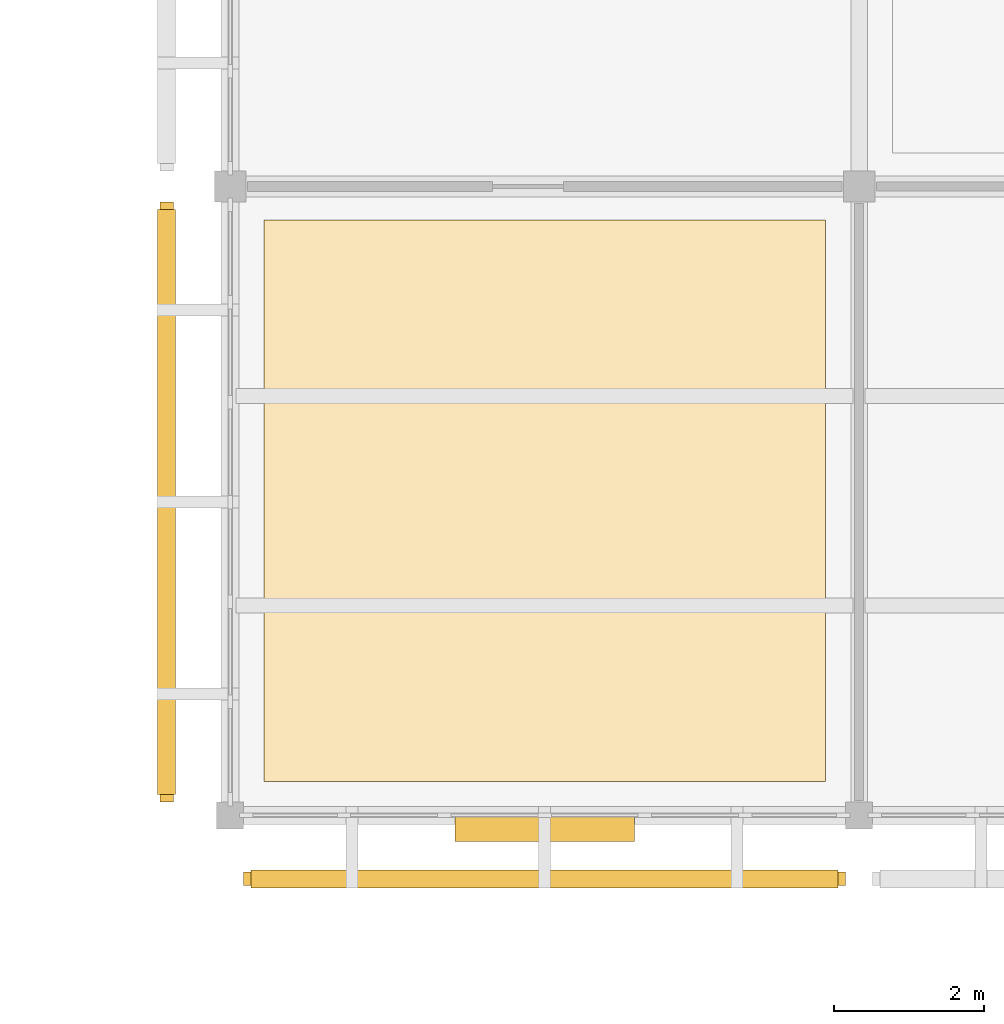
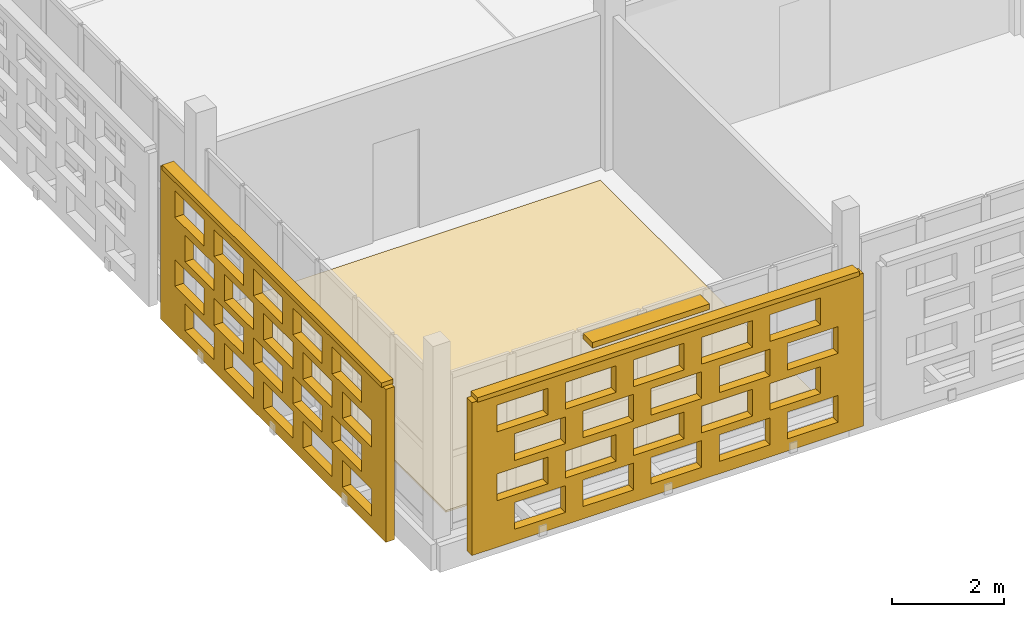
# One storey, part 112 of 166: 3 coverings, 3 shading devices, 40 openings.
"""IFC4 building model written with IfcOpenShell, lengths in metres."""

from ifc_helpers import new_model, si_unit, direction, frame, frame_2d, origin, origin_2d, place, context, subcontext, project, spatial, rectangle, extrude, material, layer, layer_set, type_object, element, save


model = new_model("IFC4")

# Units and contexts
model_context = context("Model", 3, precision=1e-05, world=origin(), true_north=direction((0.0, 1.0)))
body_context = subcontext(model_context, "Body", "Model", "MODEL_VIEW")
ifc_project = project(units=[si_unit("LENGTHUNIT", "METRE"), si_unit("AREAUNIT", "SQUARE_METRE"), si_unit("VOLUMEUNIT", "CUBIC_METRE"), si_unit("PLANEANGLEUNIT", "RADIAN"), si_unit("MASSUNIT", "GRAM", prefix="KILO")], contexts=[model_context])

# Site, building, storey
site_placement = place(None, origin())
site = spatial("IfcSite", under=ifc_project, at=site_placement, CompositionType="ELEMENT")
building_placement = place(site_placement, origin())
building = spatial("IfcBuilding", under=site, at=building_placement, Name="Varnapada Polytechnic", CompositionType="ELEMENT")
storey_placement = place(building_placement, frame((0.0, 0.0, 9.60009765625)))
storey = spatial("IfcBuildingStorey", under=building, at=storey_placement, Name="L02", CompositionType="ELEMENT", Elevation=9.60009765625)

# Covering
ifc_material_1 = material(Name="Acoustic Rubber Seminar Flooring")
ifc_layer_1 = layer(ifc_material_1, 0.0400390625)
ifc_layer_set_1 = layer_set([ifc_layer_1], Name="Acoustic Rubber Seminar Flooring")
covering_type_1 = type_object("IfcCoveringType", Name="Floor Finish FLR-06", PredefinedType="FLOORING", material=ifc_layer_set_1)
covering_1_placement = place(storey_placement, frame((12.60009765625, 4.199951171875, 0.0), z_axis=(0.0, 0.0, 1.0), x_axis=(1.0, 0.0, 0.0)))
element("IfcCovering", 1, at=covering_1_placement, inside=storey, type_object=covering_type_1, Name="L02 floor finish panel (2,1)", PredefinedType="FLOORING", context=body_context, shape_type="SweptSolid", body=[
    extrude(rectangle(XDim=7.5, YDim=7.5, at=origin_2d()), origin(), (0.0, 0.0, 1.0), 0.0400390625),
])

# Shading device
ifc_material_2 = material(Name="Anodised aluminium", Category="aluminium")
ifc_layer_2 = layer(ifc_material_2, 0.35009765625)
ifc_layer_set_2 = layer_set([ifc_layer_2], Name="Anodised aluminium")
shading_device_type_1 = type_object("IfcShadingDeviceType", Name="Solar Louvre LVR-01", PredefinedType="JALOUSIE", material=ifc_layer_set_2)
shading_device_1_placement = place(storey_placement, frame((12.60009765625, -0.179931640625, 3.159912109375), z_axis=(0.0, 0.0, 1.0), x_axis=(-1.0, 0.0, 0.0)))
element("IfcShadingDevice", 2, at=shading_device_1_placement, inside=storey, type_object=shading_device_type_1, Name="L02 aluminium sun louvre 13", PredefinedType="JALOUSIE", context=body_context, shape_type="SweptSolid", body=[
    extrude(rectangle(XDim=2.39990234375, YDim=0.340087890625, at=origin_2d()), origin(), (0.0, 0.0, 1.0), 0.1201171875),
])

# Covering, openings
ifc_material_3 = material(Name="Earth-toned architectural terracotta screen block", Category="masonry")
ifc_layer_3 = layer(ifc_material_3, 0.1201171875)
ifc_layer_set_3 = layer_set([ifc_layer_3], Name="Earth-toned architectural terracotta screen block")
covering_type_2 = type_object("IfcCoveringType", Name="Terracotta Screen Cladding CLD-01", PredefinedType="CLADDING", material=ifc_layer_set_3)
covering_2_placement = place(storey_placement, frame((16.6201171875, -0.85009765625, 0.0), z_axis=(0.0, 0.0, 1.0), x_axis=(-1.0, 0.0, 0.0)))
covering_2 = element("IfcCovering", 3, at=covering_2_placement, inside=storey, type_object=covering_type_2, Name="L02 perforated terracotta block screen (13)", PredefinedType="CLADDING", context=body_context, shape_type="SweptSolid", body=[
    extrude(rectangle(XDim=8.0400390625, YDim=0.179931640625, at=frame_2d((4.02001953125, 0.0))), origin(), (0.0, 0.0, 1.0), 3.31982421875),
])
opening_1_placement = place(covering_2_placement, frame((0.52001953125, 0.0, 0.265625)))
element("IfcOpeningElement", 4, at=opening_1_placement, cuts=covering_2, Name="Screen perforation TBS-L02-012.1", PredefinedType="OPENING", context=body_context, shape_type="SweptSolid", body=[
    extrude(rectangle(XDim=1.0400390625, YDim=0.5810546875, at=frame_2d((0.52001953125, 0.29052734375))), frame((0.0, 0.099853515625, 0.0), z_axis=(0.0, -1.0, 0.0), x_axis=(1.0, 0.0, 0.0)), (0.0, 0.0, 1.0), 0.199951171875),
])
opening_2_placement = place(covering_2_placement, frame((1.919921875, 0.0, 0.265625)))
element("IfcOpeningElement", 5, at=opening_2_placement, cuts=covering_2, Name="Screen perforation TBS-L02-012.2", PredefinedType="OPENING", context=body_context, shape_type="SweptSolid", body=[
    extrude(rectangle(XDim=1.0400390625, YDim=0.5810546875, at=frame_2d((0.52001953125, 0.29052734375))), frame((0.0, 0.099853515625, 0.0), z_axis=(0.0, -1.0, 0.0), x_axis=(1.0, 0.0, 0.0)), (0.0, 0.0, 1.0), 0.199951171875),
])
opening_3_placement = place(covering_2_placement, frame((3.320068359375, 0.0, 0.265625)))
element("IfcOpeningElement", 6, at=opening_3_placement, cuts=covering_2, Name="Screen perforation TBS-L02-012.3", PredefinedType="OPENING", context=body_context, shape_type="SweptSolid", body=[
    extrude(rectangle(XDim=1.0400390625, YDim=0.5810546875, at=frame_2d((0.52001953125, 0.29052734375))), frame((0.0, 0.099853515625, 0.0), z_axis=(0.0, -1.0, 0.0), x_axis=(1.0, 0.0, 0.0)), (0.0, 0.0, 1.0), 0.199951171875),
])
opening_4_placement = place(covering_2_placement, frame((4.719970703125, 0.0, 0.265625)))
element("IfcOpeningElement", 7, at=opening_4_placement, cuts=covering_2, Name="Screen perforation TBS-L02-012.4", PredefinedType="OPENING", context=body_context, shape_type="SweptSolid", body=[
    extrude(rectangle(XDim=1.0400390625, YDim=0.5810546875, at=frame_2d((0.52001953125, 0.29052734375))), frame((0.0, 0.099853515625, 0.0), z_axis=(0.0, -1.0, 0.0), x_axis=(1.0, 0.0, 0.0)), (0.0, 0.0, 1.0), 0.199951171875),
])
opening_5_placement = place(covering_2_placement, frame((6.1201171875, 0.0, 0.265625)))
element("IfcOpeningElement", 8, at=opening_5_placement, cuts=covering_2, Name="Screen perforation TBS-L02-012.5", PredefinedType="OPENING", context=body_context, shape_type="SweptSolid", body=[
    extrude(rectangle(XDim=1.0400390625, YDim=0.5810546875, at=frame_2d((0.52001953125, 0.29052734375))), frame((0.0, 0.099853515625, 0.0), z_axis=(0.0, -1.0, 0.0), x_axis=(1.0, 0.0, 0.0)), (0.0, 0.0, 1.0), 0.199951171875),
])
opening_6_placement = place(covering_2_placement, frame((0.8798828125, 0.0, 1.0126953125)))
element("IfcOpeningElement", 9, at=opening_6_placement, cuts=covering_2, Name="Screen perforation TBS-L02-012.6", PredefinedType="OPENING", context=body_context, shape_type="SweptSolid", body=[
    extrude(rectangle(XDim=1.0400390625, YDim=0.5810546875, at=frame_2d((0.52001953125, 0.29052734375))), frame((0.0, 0.099853515625, 0.0), z_axis=(0.0, -1.0, 0.0), x_axis=(1.0, 0.0, 0.0)), (0.0, 0.0, 1.0), 0.199951171875),
])
opening_7_placement = place(covering_2_placement, frame((2.280029296875, 0.0, 1.0126953125)))
element("IfcOpeningElement", 10, at=opening_7_placement, cuts=covering_2, Name="Screen perforation TBS-L02-012.7", PredefinedType="OPENING", context=body_context, shape_type="SweptSolid", body=[
    extrude(rectangle(XDim=1.0400390625, YDim=0.5810546875, at=frame_2d((0.52001953125, 0.29052734375))), frame((0.0, 0.099853515625, 0.0), z_axis=(0.0, -1.0, 0.0), x_axis=(1.0, 0.0, 0.0)), (0.0, 0.0, 1.0), 0.199951171875),
])
opening_8_placement = place(covering_2_placement, frame((3.679931640625, 0.0, 1.0126953125)))
element("IfcOpeningElement", 11, at=opening_8_placement, cuts=covering_2, Name="Screen perforation TBS-L02-012.8", PredefinedType="OPENING", context=body_context, shape_type="SweptSolid", body=[
    extrude(rectangle(XDim=1.0400390625, YDim=0.5810546875, at=frame_2d((0.52001953125, 0.29052734375))), frame((0.0, 0.099853515625, 0.0), z_axis=(0.0, -1.0, 0.0), x_axis=(1.0, 0.0, 0.0)), (0.0, 0.0, 1.0), 0.199951171875),
])
opening_9_placement = place(covering_2_placement, frame((5.080078125, 0.0, 1.0126953125)))
element("IfcOpeningElement", 12, at=opening_9_placement, cuts=covering_2, Name="Screen perforation TBS-L02-012.9", PredefinedType="OPENING", context=body_context, shape_type="SweptSolid", body=[
    extrude(rectangle(XDim=1.0400390625, YDim=0.5810546875, at=frame_2d((0.52001953125, 0.29052734375))), frame((0.0, 0.099853515625, 0.0), z_axis=(0.0, -1.0, 0.0), x_axis=(1.0, 0.0, 0.0)), (0.0, 0.0, 1.0), 0.199951171875),
])
opening_10_placement = place(covering_2_placement, frame((6.47998046875, 0.0, 1.0126953125)))
element("IfcOpeningElement", 13, at=opening_10_placement, cuts=covering_2, Name="Screen perforation TBS-L02-012.10", PredefinedType="OPENING", context=body_context, shape_type="SweptSolid", body=[
    extrude(rectangle(XDim=1.0400390625, YDim=0.5810546875, at=frame_2d((0.52001953125, 0.29052734375))), frame((0.0, 0.099853515625, 0.0), z_axis=(0.0, -1.0, 0.0), x_axis=(1.0, 0.0, 0.0)), (0.0, 0.0, 1.0), 0.199951171875),
])
opening_11_placement = place(covering_2_placement, frame((0.52001953125, 0.0, 1.759521484375)))
element("IfcOpeningElement", 14, at=opening_11_placement, cuts=covering_2, Name="Screen perforation TBS-L02-012.11", PredefinedType="OPENING", context=body_context, shape_type="SweptSolid", body=[
    extrude(rectangle(XDim=1.0400390625, YDim=0.5810546875, at=frame_2d((0.52001953125, 0.29052734375))), frame((0.0, 0.099853515625, 0.0), z_axis=(0.0, -1.0, 0.0), x_axis=(1.0, 0.0, 0.0)), (0.0, 0.0, 1.0), 0.199951171875),
])
opening_12_placement = place(covering_2_placement, frame((1.919921875, 0.0, 1.759521484375)))
element("IfcOpeningElement", 15, at=opening_12_placement, cuts=covering_2, Name="Screen perforation TBS-L02-012.12", PredefinedType="OPENING", context=body_context, shape_type="SweptSolid", body=[
    extrude(rectangle(XDim=1.0400390625, YDim=0.5810546875, at=frame_2d((0.52001953125, 0.29052734375))), frame((0.0, 0.099853515625, 0.0), z_axis=(0.0, -1.0, 0.0), x_axis=(1.0, 0.0, 0.0)), (0.0, 0.0, 1.0), 0.199951171875),
])
opening_13_placement = place(covering_2_placement, frame((3.320068359375, 0.0, 1.759521484375)))
element("IfcOpeningElement", 16, at=opening_13_placement, cuts=covering_2, Name="Screen perforation TBS-L02-012.13", PredefinedType="OPENING", context=body_context, shape_type="SweptSolid", body=[
    extrude(rectangle(XDim=1.0400390625, YDim=0.5810546875, at=frame_2d((0.52001953125, 0.29052734375))), frame((0.0, 0.099853515625, 0.0), z_axis=(0.0, -1.0, 0.0), x_axis=(1.0, 0.0, 0.0)), (0.0, 0.0, 1.0), 0.199951171875),
])
opening_14_placement = place(covering_2_placement, frame((4.719970703125, 0.0, 1.759521484375)))
element("IfcOpeningElement", 17, at=opening_14_placement, cuts=covering_2, Name="Screen perforation TBS-L02-012.14", PredefinedType="OPENING", context=body_context, shape_type="SweptSolid", body=[
    extrude(rectangle(XDim=1.0400390625, YDim=0.5810546875, at=frame_2d((0.52001953125, 0.29052734375))), frame((0.0, 0.099853515625, 0.0), z_axis=(0.0, -1.0, 0.0), x_axis=(1.0, 0.0, 0.0)), (0.0, 0.0, 1.0), 0.199951171875),
])
opening_15_placement = place(covering_2_placement, frame((6.1201171875, 0.0, 1.759521484375)))
element("IfcOpeningElement", 18, at=opening_15_placement, cuts=covering_2, Name="Screen perforation TBS-L02-012.15", PredefinedType="OPENING", context=body_context, shape_type="SweptSolid", body=[
    extrude(rectangle(XDim=1.0400390625, YDim=0.5810546875, at=frame_2d((0.52001953125, 0.29052734375))), frame((0.0, 0.099853515625, 0.0), z_axis=(0.0, -1.0, 0.0), x_axis=(1.0, 0.0, 0.0)), (0.0, 0.0, 1.0), 0.199951171875),
])
opening_16_placement = place(covering_2_placement, frame((0.8798828125, 0.0, 2.506591796875)))
element("IfcOpeningElement", 19, at=opening_16_placement, cuts=covering_2, Name="Screen perforation TBS-L02-012.16", PredefinedType="OPENING", context=body_context, shape_type="SweptSolid", body=[
    extrude(rectangle(XDim=1.0400390625, YDim=0.5810546875, at=frame_2d((0.52001953125, 0.29052734375))), frame((0.0, 0.099853515625, 0.0), z_axis=(0.0, -1.0, 0.0), x_axis=(1.0, 0.0, 0.0)), (0.0, 0.0, 1.0), 0.199951171875),
])
opening_17_placement = place(covering_2_placement, frame((2.280029296875, 0.0, 2.506591796875)))
element("IfcOpeningElement", 20, at=opening_17_placement, cuts=covering_2, Name="Screen perforation TBS-L02-012.17", PredefinedType="OPENING", context=body_context, shape_type="SweptSolid", body=[
    extrude(rectangle(XDim=1.0400390625, YDim=0.5810546875, at=frame_2d((0.52001953125, 0.29052734375))), frame((0.0, 0.099853515625, 0.0), z_axis=(0.0, -1.0, 0.0), x_axis=(1.0, 0.0, 0.0)), (0.0, 0.0, 1.0), 0.199951171875),
])
opening_18_placement = place(covering_2_placement, frame((3.679931640625, 0.0, 2.506591796875)))
element("IfcOpeningElement", 21, at=opening_18_placement, cuts=covering_2, Name="Screen perforation TBS-L02-012.18", PredefinedType="OPENING", context=body_context, shape_type="SweptSolid", body=[
    extrude(rectangle(XDim=1.0400390625, YDim=0.5810546875, at=frame_2d((0.52001953125, 0.29052734375))), frame((0.0, 0.099853515625, 0.0), z_axis=(0.0, -1.0, 0.0), x_axis=(1.0, 0.0, 0.0)), (0.0, 0.0, 1.0), 0.199951171875),
])
opening_19_placement = place(covering_2_placement, frame((5.080078125, 0.0, 2.506591796875)))
element("IfcOpeningElement", 22, at=opening_19_placement, cuts=covering_2, Name="Screen perforation TBS-L02-012.19", PredefinedType="OPENING", context=body_context, shape_type="SweptSolid", body=[
    extrude(rectangle(XDim=1.0400390625, YDim=0.5810546875, at=frame_2d((0.52001953125, 0.29052734375))), frame((0.0, 0.099853515625, 0.0), z_axis=(0.0, -1.0, 0.0), x_axis=(1.0, 0.0, 0.0)), (0.0, 0.0, 1.0), 0.199951171875),
])
opening_20_placement = place(covering_2_placement, frame((6.47998046875, 0.0, 2.506591796875)))
element("IfcOpeningElement", 23, at=opening_20_placement, cuts=covering_2, Name="Screen perforation TBS-L02-012.20", PredefinedType="OPENING", context=body_context, shape_type="SweptSolid", body=[
    extrude(rectangle(XDim=1.0400390625, YDim=0.5810546875, at=frame_2d((0.52001953125, 0.29052734375))), frame((0.0, 0.099853515625, 0.0), z_axis=(0.0, -1.0, 0.0), x_axis=(1.0, 0.0, 0.0)), (0.0, 0.0, 1.0), 0.199951171875),
])

covering_3_placement = place(storey_placement, frame((7.550048828125, 0.179931640625, 0.0), z_axis=(0.0, 0.0, 1.0), x_axis=(0.0, 1.0, 0.0)))
covering_3 = element("IfcCovering", 24, at=covering_3_placement, inside=storey, type_object=covering_type_2, Name="L02 perforated terracotta block screen (14)", PredefinedType="CLADDING", context=body_context, shape_type="SweptSolid", body=[
    extrude(rectangle(XDim=8.010009765625, YDim=0.179931640625, at=frame_2d((4.0048828125, 0.0))), origin(), (0.0, 0.0, 1.0), 3.31982421875),
])
opening_21_placement = place(covering_3_placement, frame((0.5048828125, 0.0, 0.265625)))
element("IfcOpeningElement", 25, at=opening_21_placement, cuts=covering_3, Name="Screen perforation TBS-L02-013.1", PredefinedType="OPENING", context=body_context, shape_type="SweptSolid", body=[
    extrude(rectangle(XDim=1.0400390625, YDim=0.5810546875, at=frame_2d((0.52001953125, 0.29052734375))), frame((0.0, 0.099853515625, 0.0), z_axis=(0.0, -1.0, 0.0), x_axis=(1.0, 0.0, 0.0)), (0.0, 0.0, 1.0), 0.199951171875),
])
opening_22_placement = place(covering_3_placement, frame((1.905029296875, 0.0, 0.265625)))
element("IfcOpeningElement", 26, at=opening_22_placement, cuts=covering_3, Name="Screen perforation TBS-L02-013.2", PredefinedType="OPENING", context=body_context, shape_type="SweptSolid", body=[
    extrude(rectangle(XDim=1.0400390625, YDim=0.5810546875, at=frame_2d((0.52001953125, 0.29052734375))), frame((0.0, 0.099853515625, 0.0), z_axis=(0.0, -1.0, 0.0), x_axis=(1.0, 0.0, 0.0)), (0.0, 0.0, 1.0), 0.199951171875),
])
opening_23_placement = place(covering_3_placement, frame((3.304931640625, 0.0, 0.265625)))
element("IfcOpeningElement", 27, at=opening_23_placement, cuts=covering_3, Name="Screen perforation TBS-L02-013.3", PredefinedType="OPENING", context=body_context, shape_type="SweptSolid", body=[
    extrude(rectangle(XDim=1.0400390625, YDim=0.5810546875, at=frame_2d((0.52001953125, 0.29052734375))), frame((0.0, 0.099853515625, 0.0), z_axis=(0.0, -1.0, 0.0), x_axis=(1.0, 0.0, 0.0)), (0.0, 0.0, 1.0), 0.199951171875),
])
opening_24_placement = place(covering_3_placement, frame((4.705078125, 0.0, 0.265625)))
element("IfcOpeningElement", 28, at=opening_24_placement, cuts=covering_3, Name="Screen perforation TBS-L02-013.4", PredefinedType="OPENING", context=body_context, shape_type="SweptSolid", body=[
    extrude(rectangle(XDim=1.0400390625, YDim=0.5810546875, at=frame_2d((0.52001953125, 0.29052734375))), frame((0.0, 0.099853515625, 0.0), z_axis=(0.0, -1.0, 0.0), x_axis=(1.0, 0.0, 0.0)), (0.0, 0.0, 1.0), 0.199951171875),
])
opening_25_placement = place(covering_3_placement, frame((6.10498046875, 0.0, 0.265625)))
element("IfcOpeningElement", 29, at=opening_25_placement, cuts=covering_3, Name="Screen perforation TBS-L02-013.5", PredefinedType="OPENING", context=body_context, shape_type="SweptSolid", body=[
    extrude(rectangle(XDim=1.0400390625, YDim=0.5810546875, at=frame_2d((0.52001953125, 0.29052734375))), frame((0.0, 0.099853515625, 0.0), z_axis=(0.0, -1.0, 0.0), x_axis=(1.0, 0.0, 0.0)), (0.0, 0.0, 1.0), 0.199951171875),
])
opening_26_placement = place(covering_3_placement, frame((0.864990234375, 0.0, 1.0126953125)))
element("IfcOpeningElement", 30, at=opening_26_placement, cuts=covering_3, Name="Screen perforation TBS-L02-013.6", PredefinedType="OPENING", context=body_context, shape_type="SweptSolid", body=[
    extrude(rectangle(XDim=1.0400390625, YDim=0.5810546875, at=frame_2d((0.52001953125, 0.29052734375))), frame((0.0, 0.099853515625, 0.0), z_axis=(0.0, -1.0, 0.0), x_axis=(1.0, 0.0, 0.0)), (0.0, 0.0, 1.0), 0.199951171875),
])
opening_27_placement = place(covering_3_placement, frame((2.264892578125, 0.0, 1.0126953125)))
element("IfcOpeningElement", 31, at=opening_27_placement, cuts=covering_3, Name="Screen perforation TBS-L02-013.7", PredefinedType="OPENING", context=body_context, shape_type="SweptSolid", body=[
    extrude(rectangle(XDim=1.0400390625, YDim=0.5810546875, at=frame_2d((0.52001953125, 0.29052734375))), frame((0.0, 0.099853515625, 0.0), z_axis=(0.0, -1.0, 0.0), x_axis=(1.0, 0.0, 0.0)), (0.0, 0.0, 1.0), 0.199951171875),
])
opening_28_placement = place(covering_3_placement, frame((3.6650390625, 0.0, 1.0126953125)))
element("IfcOpeningElement", 32, at=opening_28_placement, cuts=covering_3, Name="Screen perforation TBS-L02-013.8", PredefinedType="OPENING", context=body_context, shape_type="SweptSolid", body=[
    extrude(rectangle(XDim=1.0400390625, YDim=0.5810546875, at=frame_2d((0.52001953125, 0.29052734375))), frame((0.0, 0.099853515625, 0.0), z_axis=(0.0, -1.0, 0.0), x_axis=(1.0, 0.0, 0.0)), (0.0, 0.0, 1.0), 0.199951171875),
])
opening_29_placement = place(covering_3_placement, frame((5.06494140625, 0.0, 1.0126953125)))
element("IfcOpeningElement", 33, at=opening_29_placement, cuts=covering_3, Name="Screen perforation TBS-L02-013.9", PredefinedType="OPENING", context=body_context, shape_type="SweptSolid", body=[
    extrude(rectangle(XDim=1.0400390625, YDim=0.5810546875, at=frame_2d((0.52001953125, 0.29052734375))), frame((0.0, 0.099853515625, 0.0), z_axis=(0.0, -1.0, 0.0), x_axis=(1.0, 0.0, 0.0)), (0.0, 0.0, 1.0), 0.199951171875),
])
opening_30_placement = place(covering_3_placement, frame((6.465087890625, 0.0, 1.0126953125)))
element("IfcOpeningElement", 34, at=opening_30_placement, cuts=covering_3, Name="Screen perforation TBS-L02-013.10", PredefinedType="OPENING", context=body_context, shape_type="SweptSolid", body=[
    extrude(rectangle(XDim=1.0400390625, YDim=0.5810546875, at=frame_2d((0.52001953125, 0.29052734375))), frame((0.0, 0.099853515625, 0.0), z_axis=(0.0, -1.0, 0.0), x_axis=(1.0, 0.0, 0.0)), (0.0, 0.0, 1.0), 0.199951171875),
])
opening_31_placement = place(covering_3_placement, frame((0.5048828125, 0.0, 1.759521484375)))
element("IfcOpeningElement", 35, at=opening_31_placement, cuts=covering_3, Name="Screen perforation TBS-L02-013.11", PredefinedType="OPENING", context=body_context, shape_type="SweptSolid", body=[
    extrude(rectangle(XDim=1.0400390625, YDim=0.5810546875, at=frame_2d((0.52001953125, 0.29052734375))), frame((0.0, 0.099853515625, 0.0), z_axis=(0.0, -1.0, 0.0), x_axis=(1.0, 0.0, 0.0)), (0.0, 0.0, 1.0), 0.199951171875),
])
opening_32_placement = place(covering_3_placement, frame((1.905029296875, 0.0, 1.759521484375)))
element("IfcOpeningElement", 36, at=opening_32_placement, cuts=covering_3, Name="Screen perforation TBS-L02-013.12", PredefinedType="OPENING", context=body_context, shape_type="SweptSolid", body=[
    extrude(rectangle(XDim=1.0400390625, YDim=0.5810546875, at=frame_2d((0.52001953125, 0.29052734375))), frame((0.0, 0.099853515625, 0.0), z_axis=(0.0, -1.0, 0.0), x_axis=(1.0, 0.0, 0.0)), (0.0, 0.0, 1.0), 0.199951171875),
])
opening_33_placement = place(covering_3_placement, frame((3.304931640625, 0.0, 1.759521484375)))
element("IfcOpeningElement", 37, at=opening_33_placement, cuts=covering_3, Name="Screen perforation TBS-L02-013.13", PredefinedType="OPENING", context=body_context, shape_type="SweptSolid", body=[
    extrude(rectangle(XDim=1.0400390625, YDim=0.5810546875, at=frame_2d((0.52001953125, 0.29052734375))), frame((0.0, 0.099853515625, 0.0), z_axis=(0.0, -1.0, 0.0), x_axis=(1.0, 0.0, 0.0)), (0.0, 0.0, 1.0), 0.199951171875),
])
opening_34_placement = place(covering_3_placement, frame((4.705078125, 0.0, 1.759521484375)))
element("IfcOpeningElement", 38, at=opening_34_placement, cuts=covering_3, Name="Screen perforation TBS-L02-013.14", PredefinedType="OPENING", context=body_context, shape_type="SweptSolid", body=[
    extrude(rectangle(XDim=1.0400390625, YDim=0.5810546875, at=frame_2d((0.52001953125, 0.29052734375))), frame((0.0, 0.099853515625, 0.0), z_axis=(0.0, -1.0, 0.0), x_axis=(1.0, 0.0, 0.0)), (0.0, 0.0, 1.0), 0.199951171875),
])
opening_35_placement = place(covering_3_placement, frame((6.10498046875, 0.0, 1.759521484375)))
element("IfcOpeningElement", 39, at=opening_35_placement, cuts=covering_3, Name="Screen perforation TBS-L02-013.15", PredefinedType="OPENING", context=body_context, shape_type="SweptSolid", body=[
    extrude(rectangle(XDim=1.0400390625, YDim=0.5810546875, at=frame_2d((0.52001953125, 0.29052734375))), frame((0.0, 0.099853515625, 0.0), z_axis=(0.0, -1.0, 0.0), x_axis=(1.0, 0.0, 0.0)), (0.0, 0.0, 1.0), 0.199951171875),
])
opening_36_placement = place(covering_3_placement, frame((0.864990234375, 0.0, 2.506591796875)))
element("IfcOpeningElement", 40, at=opening_36_placement, cuts=covering_3, Name="Screen perforation TBS-L02-013.16", PredefinedType="OPENING", context=body_context, shape_type="SweptSolid", body=[
    extrude(rectangle(XDim=1.0400390625, YDim=0.5810546875, at=frame_2d((0.52001953125, 0.29052734375))), frame((0.0, 0.099853515625, 0.0), z_axis=(0.0, -1.0, 0.0), x_axis=(1.0, 0.0, 0.0)), (0.0, 0.0, 1.0), 0.199951171875),
])
opening_37_placement = place(covering_3_placement, frame((2.264892578125, 0.0, 2.506591796875)))
element("IfcOpeningElement", 41, at=opening_37_placement, cuts=covering_3, Name="Screen perforation TBS-L02-013.17", PredefinedType="OPENING", context=body_context, shape_type="SweptSolid", body=[
    extrude(rectangle(XDim=1.0400390625, YDim=0.5810546875, at=frame_2d((0.52001953125, 0.29052734375))), frame((0.0, 0.099853515625, 0.0), z_axis=(0.0, -1.0, 0.0), x_axis=(1.0, 0.0, 0.0)), (0.0, 0.0, 1.0), 0.199951171875),
])
opening_38_placement = place(covering_3_placement, frame((3.6650390625, 0.0, 2.506591796875)))
element("IfcOpeningElement", 42, at=opening_38_placement, cuts=covering_3, Name="Screen perforation TBS-L02-013.18", PredefinedType="OPENING", context=body_context, shape_type="SweptSolid", body=[
    extrude(rectangle(XDim=1.0400390625, YDim=0.5810546875, at=frame_2d((0.52001953125, 0.29052734375))), frame((0.0, 0.099853515625, 0.0), z_axis=(0.0, -1.0, 0.0), x_axis=(1.0, 0.0, 0.0)), (0.0, 0.0, 1.0), 0.199951171875),
])
opening_39_placement = place(covering_3_placement, frame((5.06494140625, 0.0, 2.506591796875)))
element("IfcOpeningElement", 43, at=opening_39_placement, cuts=covering_3, Name="Screen perforation TBS-L02-013.19", PredefinedType="OPENING", context=body_context, shape_type="SweptSolid", body=[
    extrude(rectangle(XDim=1.0400390625, YDim=0.5810546875, at=frame_2d((0.52001953125, 0.29052734375))), frame((0.0, 0.099853515625, 0.0), z_axis=(0.0, -1.0, 0.0), x_axis=(1.0, 0.0, 0.0)), (0.0, 0.0, 1.0), 0.199951171875),
])
opening_40_placement = place(covering_3_placement, frame((6.465087890625, 0.0, 2.506591796875)))
element("IfcOpeningElement", 44, at=opening_40_placement, cuts=covering_3, Name="Screen perforation TBS-L02-013.20", PredefinedType="OPENING", context=body_context, shape_type="SweptSolid", body=[
    extrude(rectangle(XDim=1.0400390625, YDim=0.5810546875, at=frame_2d((0.52001953125, 0.29052734375))), frame((0.0, 0.099853515625, 0.0), z_axis=(0.0, -1.0, 0.0), x_axis=(1.0, 0.0, 0.0)), (0.0, 0.0, 1.0), 0.199951171875),
])

# Shading devices
ifc_layer_4 = layer(ifc_material_3, 0.179931640625)
ifc_layer_set_4 = layer_set([ifc_layer_4], Name="Earth-toned architectural terracotta screen block")
shading_device_type_2 = type_object("IfcShadingDeviceType", Name="Terracotta Screen SCR-01", PredefinedType="USERDEFINED", material=ifc_layer_set_4)
shading_device_2_placement = place(storey_placement, frame((12.60009765625, -0.85009765625, 3.309814453125), z_axis=(0.0, 0.0, 1.0), x_axis=(-1.0, 0.0, 0.0)))
element("IfcShadingDevice", 45, at=shading_device_2_placement, inside=storey, type_object=shading_device_type_2, Name="L02 perforated terracotta screen hood 242", ObjectType="SCREEN", PredefinedType="USERDEFINED", context=body_context, shape_type="SweptSolid", body=[
    extrude(rectangle(XDim=7.840087890625, YDim=0.239990234375, at=origin_2d()), origin(), (0.0, 0.0, 1.0), 0.10009765625),
])
shading_device_3_placement = place(storey_placement, frame((7.550048828125, 4.18505859375, 3.309814453125), z_axis=(0.0, 0.0, 1.0), x_axis=(0.0, 1.0, 0.0)))
element("IfcShadingDevice", 46, at=shading_device_3_placement, inside=storey, type_object=shading_device_type_2, Name="L02 perforated terracotta screen hood 243", ObjectType="SCREEN", PredefinedType="USERDEFINED", context=body_context, shape_type="SweptSolid", body=[
    extrude(rectangle(XDim=7.81005859375, YDim=0.239990234375, at=origin_2d()), origin(), (0.0, 0.0, 1.0), 0.10009765625),
])

save(model, "model.ifc")
